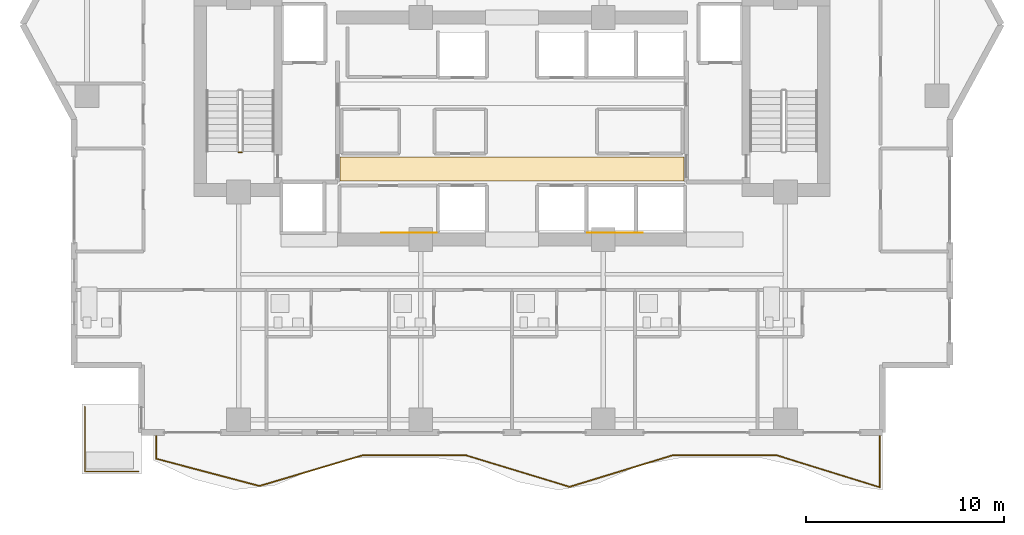
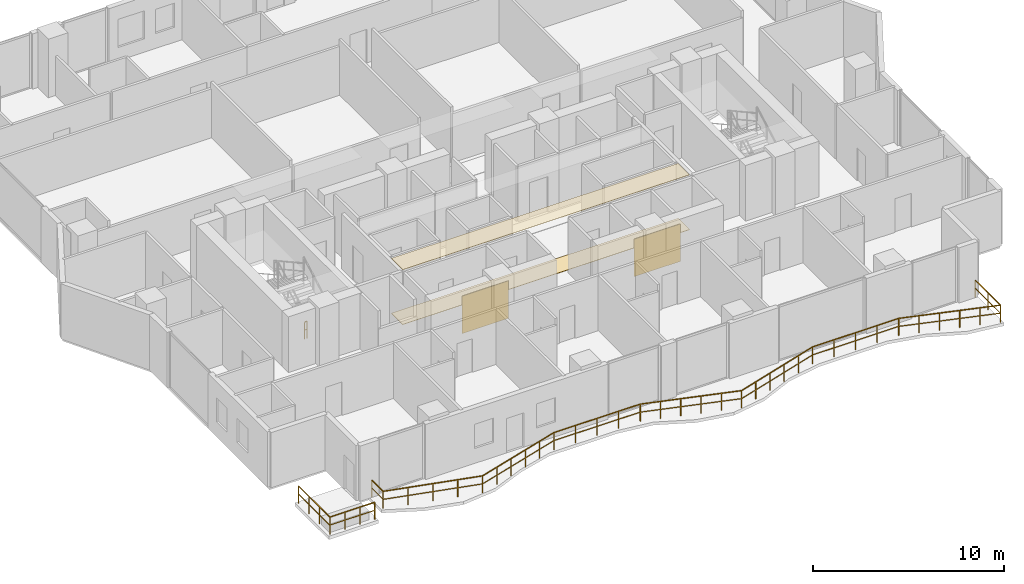
# One storey, part 29 of 32: 4 coverings, 3 railings.
"""IFC4 building model written with IfcOpenShell, lengths in metres."""

from ifc_helpers import new_model, si_unit, direction, frame, origin, origin_2d, place, context, subcontext, project, spatial, polyline, rectangle, outline, extrude, material, layer, layer_set, type_object, element, save


model = new_model("IFC4")

# Units and contexts
model_context = context("Model", 3, precision=1e-05, world=origin(), true_north=direction((0.0, 1.0)))
body_context = subcontext(model_context, "Body", "Model", "MODEL_VIEW")
ifc_project = project(units=[si_unit("LENGTHUNIT", "METRE"), si_unit("AREAUNIT", "SQUARE_METRE"), si_unit("VOLUMEUNIT", "CUBIC_METRE"), si_unit("PLANEANGLEUNIT", "RADIAN"), si_unit("MASSUNIT", "GRAM", prefix="KILO")], contexts=[model_context])

# Site, building, storey
site_placement = place(None, origin())
site = spatial("IfcSite", under=ifc_project, at=site_placement, CompositionType="ELEMENT")
building_placement = place(site_placement, origin())
building = spatial("IfcBuilding", under=site, at=building_placement, Name="Zuhayl Quay Hotel", CompositionType="ELEMENT")
storey_placement = place(building_placement, frame((0.0, 0.0, 196.14990234375)))
storey = spatial("IfcBuildingStorey", under=building, at=storey_placement, Name="L49", CompositionType="ELEMENT", Elevation=196.14990234375)

# Coverings
ifc_material_1 = material(Name="Acoustic Mineral-Fibre Gypsum Board")
ifc_layer_1 = layer(ifc_material_1, 0.02490234375, Name="Acoustic Mineral-Fibre Gypsum Board")
ifc_layer_set_1 = layer_set([ifc_layer_1], Name="Acoustic Mineral-Fibre Gypsum Board")
covering_type_1 = type_object("IfcCoveringType", Name="CV_CEIL_ACOUSTIC", PredefinedType="CEILING", material=ifc_layer_set_1)
covering_1_placement = place(storey_placement, frame((0.0, 0.0, 3.505126953125)))
element("IfcCovering", 1, at=covering_1_placement, inside=storey, type_object=covering_type_1, Name="L49 Suspended Acoustic Lobby Ceiling S", PredefinedType="CEILING", context=body_context, shape_type="SweptSolid", body=[
    extrude(outline(polyline([(-8.679931640625, 5.10009765625), (8.679931640625, 5.10009765625), (8.679931640625, 6.300048828125), (-8.679931640625, 6.300048828125), (-8.679931640625, 5.10009765625)])), origin(), (0.0, 0.0, 1.0), 0.02490234375),
])
ifc_material_2 = material(Name="Polished Limestone Terrazzo", Category="masonry")
ifc_layer_2 = layer(ifc_material_2, 0.02001953125, Name="Polished Limestone Terrazzo", Category="masonry")
ifc_layer_set_2 = layer_set([ifc_layer_2], Name="Polished Limestone Terrazzo")
covering_type_2 = type_object("IfcCoveringType", Name="CV_FLOOR_TERRAZZO", PredefinedType="FLOORING", material=ifc_layer_set_2)
covering_2_placement = place(storey_placement, origin())
element("IfcCovering", 2, at=covering_2_placement, inside=storey, type_object=covering_type_2, Name="L49 Honed Limestone Terrazzo Lobby Flooring S", PredefinedType="FLOORING", context=body_context, shape_type="SweptSolid", body=[
    extrude(outline(polyline([(-8.679931640625, 5.10009765625), (8.679931640625, 5.10009765625), (8.679931640625, 6.300048828125), (-8.679931640625, 6.300048828125), (-8.679931640625, 5.10009765625)])), origin(), (0.0, 0.0, 1.0), 0.02001953125),
])
ifc_material_3 = material(Name="Acoustic Walnut Feature Timber", Category="wood")
ifc_layer_3 = layer(ifc_material_3, 0.02197265625, Name="Acoustic Walnut Feature Timber", Category="wood")
ifc_layer_set_3 = layer_set([ifc_layer_3], Name="Acoustic Walnut Feature Timber")
covering_type_3 = type_object("IfcCoveringType", Name="CV_WALL_CLAD", PredefinedType="CLADDING", material=ifc_layer_set_3)
for number, where, z_axis, x_axis, name in (
    (3, (-5.199951171875, 2.486083984375, 0.300048828125), (0.0, 0.0, 1.0), (1.0, 0.0, 0.0), "L49 Feature Lobby Walnut Wall Cladding W"),
    (4, (5.199951171875, 2.486083984375, 0.300048828125), (0.0, 0.0, 1.0), (1.0, 0.0, 0.0), "L49 Feature Lobby Walnut Wall Cladding E"),
):
    element("IfcCovering", number, at=place(storey_placement, frame(where, z_axis=z_axis, x_axis=x_axis)), inside=storey, type_object=covering_type_3, Name=name, PredefinedType="CLADDING", context=body_context, shape_type="SweptSolid", body=[
        extrude(rectangle(XDim=2.800048828125, YDim=0.02197265625, at=origin_2d()), origin(), (0.0, 0.0, 1.0), 2.39990234375),
    ])

# Railings
ifc_material_4 = material(Name="Anodised Aluminium and Laminated Glass", Category="aluminium")
railing_type_1 = type_object("IfcRailingType", Name="RL_EXT_BAL_1100", PredefinedType="BALUSTRADE", material=ifc_material_4)
railing_1_placement = place(storey_placement, frame((-17.9599609375, -7.719970703125, 0.0)))
element("IfcRailing", 5, at=railing_1_placement, inside=storey, type_object=railing_type_1, Name="L49 Balcony and Terrace Guard GR_L49_BAL_S", PredefinedType="BALUSTRADE", context=body_context, shape_type="SweptSolid", body=[
    extrude(rectangle(XDim=0.048095703125, YDim=0.048095703125, at=origin_2d()), frame((0.0, 0.0, 1.09619140625), z_axis=(0.0, -1.0, 0.0), x_axis=(1.0, 0.0, 0.0)), (0.0, 0.0, 1.0), 1.19775390625),
    extrude(rectangle(XDim=0.0361328125, YDim=0.0361328125, at=origin_2d()), frame((0.0, 0.0, 0.58251953125), z_axis=(0.0, -1.0, 0.0), x_axis=(1.0, 0.0, 0.0)), (0.0, 0.0, 1.0), 1.19775390625),
    extrude(rectangle(XDim=0.048095703125, YDim=0.048095703125, at=origin_2d()), frame((0.0, -1.19775390625, 1.09619140625), z_axis=(0.966867327417, -0.255279398254, 0.0), x_axis=(0.255279398254, 0.966867327417, 0.0)), (0.0, 0.0, 1.0), 5.395751953125),
    extrude(rectangle(XDim=0.0361328125, YDim=0.0361328125, at=origin_2d()), frame((0.0, -1.19775390625, 0.58251953125), z_axis=(0.966867327417, -0.255279398254, 0.0), x_axis=(0.255279398254, 0.966867327417, 0.0)), (0.0, 0.0, 1.0), 5.395751953125),
    extrude(rectangle(XDim=0.048095703125, YDim=0.048095703125, at=origin_2d()), frame((5.217041015625, -2.5751953125, 1.09619140625), z_axis=(0.95833084539, 0.285660621672, 0.0), x_axis=(-0.285660621672, 0.95833084539, 0.0)), (0.0, 0.0, 1.0), 5.444091796875),
    extrude(rectangle(XDim=0.0361328125, YDim=0.0361328125, at=origin_2d()), frame((5.217041015625, -2.5751953125, 0.58251953125), z_axis=(0.95833084539, 0.285660621672, 0.0), x_axis=(-0.285660621672, 0.95833084539, 0.0)), (0.0, 0.0, 1.0), 5.444091796875),
    extrude(rectangle(XDim=0.048095703125, YDim=0.048095703125, at=origin_2d()), frame((10.434326171875, -1.02001953125, 1.09619140625), z_axis=(0.999997782696, -0.002105849606, 0.0), x_axis=(0.002105849606, 0.999997782696, 0.0)), (0.0, 0.0, 1.0), 5.217041015625),
    extrude(rectangle(XDim=0.0361328125, YDim=0.0361328125, at=origin_2d()), frame((10.434326171875, -1.02001953125, 0.58251953125), z_axis=(0.999997782696, -0.002105849606, 0.0), x_axis=(0.002105849606, 0.999997782696, 0.0)), (0.0, 0.0, 1.0), 5.217041015625),
    extrude(rectangle(XDim=0.048095703125, YDim=0.048095703125, at=origin_2d()), frame((15.6513671875, -1.031005859375, 1.09619140625), z_axis=(0.956697732969, -0.291083231622, 0.0), x_axis=(0.291083231622, 0.956697732969, 0.0)), (0.0, 0.0, 1.0), 5.453369140625),
    extrude(rectangle(XDim=0.0361328125, YDim=0.0361328125, at=origin_2d()), frame((15.6513671875, -1.031005859375, 0.58251953125), z_axis=(0.956697732969, -0.291083231622, 0.0), x_axis=(0.291083231622, 0.956697732969, 0.0)), (0.0, 0.0, 1.0), 5.453369140625),
    extrude(rectangle(XDim=0.048095703125, YDim=0.048095703125, at=origin_2d()), frame((20.86865234375, -2.618408203125, 1.09619140625), z_axis=(0.956131433404, 0.292938017432, 0.0), x_axis=(-0.292938017432, 0.956131433404, 0.0)), (0.0, 0.0, 1.0), 5.456298828125),
    extrude(rectangle(XDim=0.0361328125, YDim=0.0361328125, at=origin_2d()), frame((20.86865234375, -2.618408203125, 0.58251953125), z_axis=(0.956131433404, 0.292938017432, 0.0), x_axis=(-0.292938017432, 0.956131433404, 0.0)), (0.0, 0.0, 1.0), 5.456298828125),
    extrude(rectangle(XDim=0.048095703125, YDim=0.048095703125, at=origin_2d()), frame((26.085693359375, -1.02001953125, 1.09619140625), z_axis=(1.0, 0.0, 0.0), x_axis=(0.0, 1.0, 0.0)), (0.0, 0.0, 1.0), 5.21728515625),
    extrude(rectangle(XDim=0.0361328125, YDim=0.0361328125, at=origin_2d()), frame((26.085693359375, -1.02001953125, 0.58251953125), z_axis=(1.0, 0.0, 0.0), x_axis=(0.0, 1.0, 0.0)), (0.0, 0.0, 1.0), 5.21728515625),
    extrude(rectangle(XDim=0.048095703125, YDim=0.048095703125, at=origin_2d()), frame((31.302978515625, -1.02001953125, 1.09619140625), z_axis=(0.955099033432, -0.296286746812, 0.0), x_axis=(0.296286746812, 0.955099033432, 0.0)), (0.0, 0.0, 1.0), 5.46240234375),
    extrude(rectangle(XDim=0.0361328125, YDim=0.0361328125, at=origin_2d()), frame((31.302978515625, -1.02001953125, 0.58251953125), z_axis=(0.955099033432, -0.296286746812, 0.0), x_axis=(0.296286746812, 0.955099033432, 0.0)), (0.0, 0.0, 1.0), 5.46240234375),
    extrude(rectangle(XDim=0.048095703125, YDim=0.048095703125, at=origin_2d()), frame((36.52001953125, -2.638427734375, 1.09619140625), z_axis=(0.0, 1.0, 0.0), x_axis=(-1.0, 0.0, 0.0)), (0.0, 0.0, 1.0), 2.638427734375),
    extrude(rectangle(XDim=0.0361328125, YDim=0.0361328125, at=origin_2d()), frame((36.52001953125, -2.638427734375, 0.58251953125), z_axis=(0.0, 1.0, 0.0), x_axis=(-1.0, 0.0, 0.0)), (0.0, 0.0, 1.0), 2.638427734375),
    extrude(rectangle(XDim=0.0419921875, YDim=0.0419921875, at=origin_2d()), origin(), (0.0, 0.0, 1.0), 1.072021484375),
    extrude(rectangle(XDim=0.0419921875, YDim=0.0419921875, at=origin_2d()), frame((0.0, -1.19775390625, 0.0)), (0.0, 0.0, 1.0), 1.072021484375),
    extrude(rectangle(XDim=0.0419921875, YDim=0.0419921875, at=origin_2d()), frame((1.30419921875, -1.5419921875, 0.0)), (0.0, 0.0, 1.0), 1.072021484375),
    extrude(rectangle(XDim=0.0419921875, YDim=0.0419921875, at=origin_2d()), frame((2.6083984375, -1.886474609375, 0.0)), (0.0, 0.0, 1.0), 1.072021484375),
    extrude(rectangle(XDim=0.0419921875, YDim=0.0419921875, at=origin_2d()), frame((3.912841796875, -2.23095703125, 0.0)), (0.0, 0.0, 1.0), 1.072021484375),
    extrude(rectangle(XDim=0.0419921875, YDim=0.0419921875, at=origin_2d()), frame((5.217041015625, -2.5751953125, 0.0)), (0.0, 0.0, 1.0), 1.072021484375),
    extrude(rectangle(XDim=0.0419921875, YDim=0.0419921875, at=origin_2d()), frame((6.260498046875, -2.26416015625, 0.0)), (0.0, 0.0, 1.0), 1.072021484375),
    extrude(rectangle(XDim=0.0419921875, YDim=0.0419921875, at=origin_2d()), frame((7.303955078125, -1.953125, 0.0)), (0.0, 0.0, 1.0), 1.072021484375),
    extrude(rectangle(XDim=0.0419921875, YDim=0.0419921875, at=origin_2d()), frame((8.347412109375, -1.64208984375, 0.0)), (0.0, 0.0, 1.0), 1.072021484375),
    extrude(rectangle(XDim=0.0419921875, YDim=0.0419921875, at=origin_2d()), frame((9.390869140625, -1.3310546875, 0.0)), (0.0, 0.0, 1.0), 1.072021484375),
    extrude(rectangle(XDim=0.0419921875, YDim=0.0419921875, at=origin_2d()), frame((10.434326171875, -1.02001953125, 0.0)), (0.0, 0.0, 1.0), 1.072021484375),
    extrude(rectangle(XDim=0.0419921875, YDim=0.0419921875, at=origin_2d()), frame((11.738525390625, -1.022705078125, 0.0)), (0.0, 0.0, 1.0), 1.072021484375),
    extrude(rectangle(XDim=0.0419921875, YDim=0.0419921875, at=origin_2d()), frame((13.04296875, -1.025390625, 0.0)), (0.0, 0.0, 1.0), 1.072021484375),
    extrude(rectangle(XDim=0.0419921875, YDim=0.0419921875, at=origin_2d()), frame((14.34716796875, -1.0283203125, 0.0)), (0.0, 0.0, 1.0), 1.072021484375),
    extrude(rectangle(XDim=0.0419921875, YDim=0.0419921875, at=origin_2d()), frame((15.6513671875, -1.031005859375, 0.0)), (0.0, 0.0, 1.0), 1.072021484375),
    extrude(rectangle(XDim=0.0419921875, YDim=0.0419921875, at=origin_2d()), frame((16.69482421875, -1.348388671875, 0.0)), (0.0, 0.0, 1.0), 1.072021484375),
    extrude(rectangle(XDim=0.0419921875, YDim=0.0419921875, at=origin_2d()), frame((17.73828125, -1.666015625, 0.0)), (0.0, 0.0, 1.0), 1.072021484375),
    extrude(rectangle(XDim=0.0419921875, YDim=0.0419921875, at=origin_2d()), frame((18.78173828125, -1.9833984375, 0.0)), (0.0, 0.0, 1.0), 1.072021484375),
    extrude(rectangle(XDim=0.0419921875, YDim=0.0419921875, at=origin_2d()), frame((19.8251953125, -2.301025390625, 0.0)), (0.0, 0.0, 1.0), 1.072021484375),
    extrude(rectangle(XDim=0.0419921875, YDim=0.0419921875, at=origin_2d()), frame((20.86865234375, -2.618408203125, 0.0)), (0.0, 0.0, 1.0), 1.072021484375),
    extrude(rectangle(XDim=0.0419921875, YDim=0.0419921875, at=origin_2d()), frame((21.912109375, -2.298828125, 0.0)), (0.0, 0.0, 1.0), 1.072021484375),
    extrude(rectangle(XDim=0.0419921875, YDim=0.0419921875, at=origin_2d()), frame((22.95556640625, -1.97900390625, 0.0)), (0.0, 0.0, 1.0), 1.072021484375),
    extrude(rectangle(XDim=0.0419921875, YDim=0.0419921875, at=origin_2d()), frame((23.998779296875, -1.659423828125, 0.0)), (0.0, 0.0, 1.0), 1.072021484375),
    extrude(rectangle(XDim=0.0419921875, YDim=0.0419921875, at=origin_2d()), frame((25.042236328125, -1.339599609375, 0.0)), (0.0, 0.0, 1.0), 1.072021484375),
    extrude(rectangle(XDim=0.0419921875, YDim=0.0419921875, at=origin_2d()), frame((26.085693359375, -1.02001953125, 0.0)), (0.0, 0.0, 1.0), 1.072021484375),
    extrude(rectangle(XDim=0.0419921875, YDim=0.0419921875, at=origin_2d()), frame((27.39013671875, -1.02001953125, 0.0)), (0.0, 0.0, 1.0), 1.072021484375),
    extrude(rectangle(XDim=0.0419921875, YDim=0.0419921875, at=origin_2d()), frame((28.6943359375, -1.02001953125, 0.0)), (0.0, 0.0, 1.0), 1.072021484375),
    extrude(rectangle(XDim=0.0419921875, YDim=0.0419921875, at=origin_2d()), frame((29.99853515625, -1.02001953125, 0.0)), (0.0, 0.0, 1.0), 1.072021484375),
    extrude(rectangle(XDim=0.0419921875, YDim=0.0419921875, at=origin_2d()), frame((31.302978515625, -1.02001953125, 0.0)), (0.0, 0.0, 1.0), 1.072021484375),
    extrude(rectangle(XDim=0.0419921875, YDim=0.0419921875, at=origin_2d()), frame((32.346435546875, -1.34375, 0.0)), (0.0, 0.0, 1.0), 1.072021484375),
    extrude(rectangle(XDim=0.0419921875, YDim=0.0419921875, at=origin_2d()), frame((33.389892578125, -1.66748046875, 0.0)), (0.0, 0.0, 1.0), 1.072021484375),
    extrude(rectangle(XDim=0.0419921875, YDim=0.0419921875, at=origin_2d()), frame((34.43310546875, -1.990966796875, 0.0)), (0.0, 0.0, 1.0), 1.072021484375),
    extrude(rectangle(XDim=0.0419921875, YDim=0.0419921875, at=origin_2d()), frame((35.4765625, -2.314697265625, 0.0)), (0.0, 0.0, 1.0), 1.072021484375),
    extrude(rectangle(XDim=0.0419921875, YDim=0.0419921875, at=origin_2d()), frame((36.52001953125, -2.638427734375, 0.0)), (0.0, 0.0, 1.0), 1.072021484375),
    extrude(rectangle(XDim=0.0419921875, YDim=0.0419921875, at=origin_2d()), frame((36.52001953125, -1.3193359375, 0.0)), (0.0, 0.0, 1.0), 1.072021484375),
    extrude(rectangle(XDim=0.0419921875, YDim=0.0419921875, at=origin_2d()), frame((36.52001953125, 0.0, 0.0)), (0.0, 0.0, 1.0), 1.072021484375),
])
railing_2_placement = place(storey_placement, frame((-21.56005859375, -6.2900390625, 0.0)))
element("IfcRailing", 6, at=railing_2_placement, inside=storey, type_object=railing_type_1, Name="L49 Balcony and Terrace Guard GR_L49_SPIRAL_SW", PredefinedType="BALUSTRADE", context=body_context, shape_type="SweptSolid", body=[
    extrude(rectangle(XDim=0.048095703125, YDim=0.048095703125, at=origin_2d()), frame((0.0, 0.0, 1.09619140625), z_axis=(0.0, -1.0, 0.0), x_axis=(1.0, 0.0, 0.0)), (0.0, 0.0, 1.0), 3.27001953125),
    extrude(rectangle(XDim=0.0361328125, YDim=0.0361328125, at=origin_2d()), frame((0.0, 0.0, 0.58251953125), z_axis=(0.0, -1.0, 0.0), x_axis=(1.0, 0.0, 0.0)), (0.0, 0.0, 1.0), 3.27001953125),
    extrude(rectangle(XDim=0.048095703125, YDim=0.048095703125, at=origin_2d()), frame((0.0, -3.27001953125, 1.09619140625), z_axis=(1.0, 0.0, 0.0), x_axis=(0.0, 1.0, 0.0)), (0.0, 0.0, 1.0), 2.719970703125),
    extrude(rectangle(XDim=0.0361328125, YDim=0.0361328125, at=origin_2d()), frame((0.0, -3.27001953125, 0.58251953125), z_axis=(1.0, 0.0, 0.0), x_axis=(0.0, 1.0, 0.0)), (0.0, 0.0, 1.0), 2.719970703125),
    extrude(rectangle(XDim=0.0419921875, YDim=0.0419921875, at=origin_2d()), origin(), (0.0, 0.0, 1.0), 1.072021484375),
    extrude(rectangle(XDim=0.0419921875, YDim=0.0419921875, at=origin_2d()), frame((0.0, -1.090087890625, 0.0)), (0.0, 0.0, 1.0), 1.072021484375),
    extrude(rectangle(XDim=0.0419921875, YDim=0.0419921875, at=origin_2d()), frame((0.0, -2.179931640625, 0.0)), (0.0, 0.0, 1.0), 1.072021484375),
    extrude(rectangle(XDim=0.0419921875, YDim=0.0419921875, at=origin_2d()), frame((0.0, -3.27001953125, 0.0)), (0.0, 0.0, 1.0), 1.072021484375),
    extrude(rectangle(XDim=0.0419921875, YDim=0.0419921875, at=origin_2d()), frame((0.90673828125, -3.27001953125, 0.0)), (0.0, 0.0, 1.0), 1.072021484375),
    extrude(rectangle(XDim=0.0419921875, YDim=0.0419921875, at=origin_2d()), frame((1.813232421875, -3.27001953125, 0.0)), (0.0, 0.0, 1.0), 1.072021484375),
    extrude(rectangle(XDim=0.0419921875, YDim=0.0419921875, at=origin_2d()), frame((2.719970703125, -3.27001953125, 0.0)), (0.0, 0.0, 1.0), 1.072021484375),
])
ifc_material_5 = material(Name="Steel ASTM A992 Grade 50", Category="steel")
railing_type_2 = type_object("IfcRailingType", Name="RL_GUARD_1100", PredefinedType="GUARDRAIL", material=ifc_material_5)
railing_3_placement = place(storey_placement, frame((-13.639892578125, 6.5400390625, 0.0)))
element("IfcRailing", 7, at=railing_3_placement, inside=storey, type_object=railing_type_2, Name="L49 ST1 stair guard 4", PredefinedType="GUARDRAIL", context=body_context, shape_type="SweptSolid", body=[
    extrude(rectangle(XDim=0.048095703125, YDim=0.048095703125, at=origin_2d()), frame((0.0, 0.0, 1.09619140625), z_axis=(-1.0, 0.0, 0.0), x_axis=(0.0, -1.0, 0.0)), (0.0, 0.0, 1.0), 0.150146484375),
    extrude(rectangle(XDim=0.0361328125, YDim=0.0361328125, at=origin_2d()), frame((0.0, 0.0, 0.58251953125), z_axis=(-1.0, 0.0, 0.0), x_axis=(0.0, -1.0, 0.0)), (0.0, 0.0, 1.0), 0.150146484375),
    extrude(rectangle(XDim=0.0419921875, YDim=0.0419921875, at=origin_2d()), origin(), (0.0, 0.0, 1.0), 1.072021484375),
    extrude(rectangle(XDim=0.0419921875, YDim=0.0419921875, at=origin_2d()), frame((-0.150146484375, 0.0, 0.0)), (0.0, 0.0, 1.0), 1.072021484375),
])

save(model, "model.ifc")
